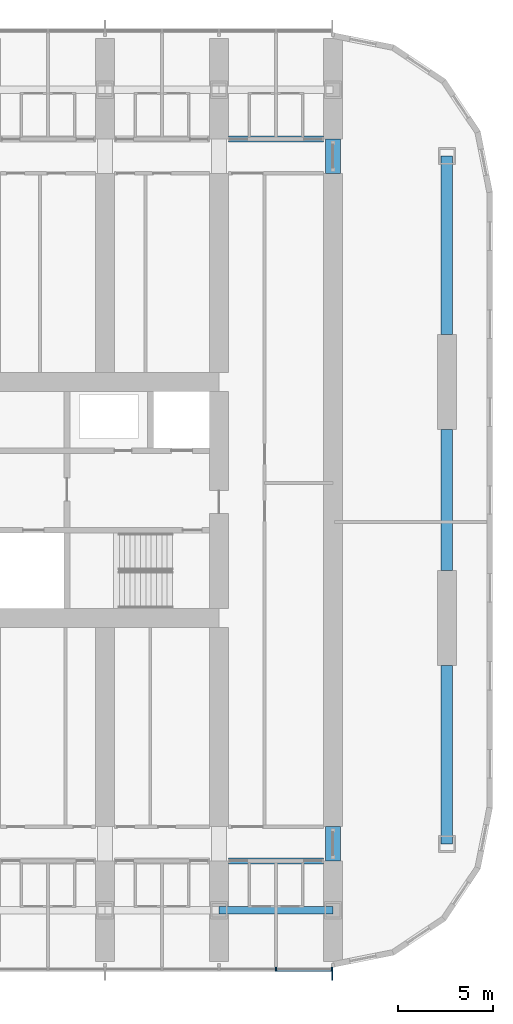
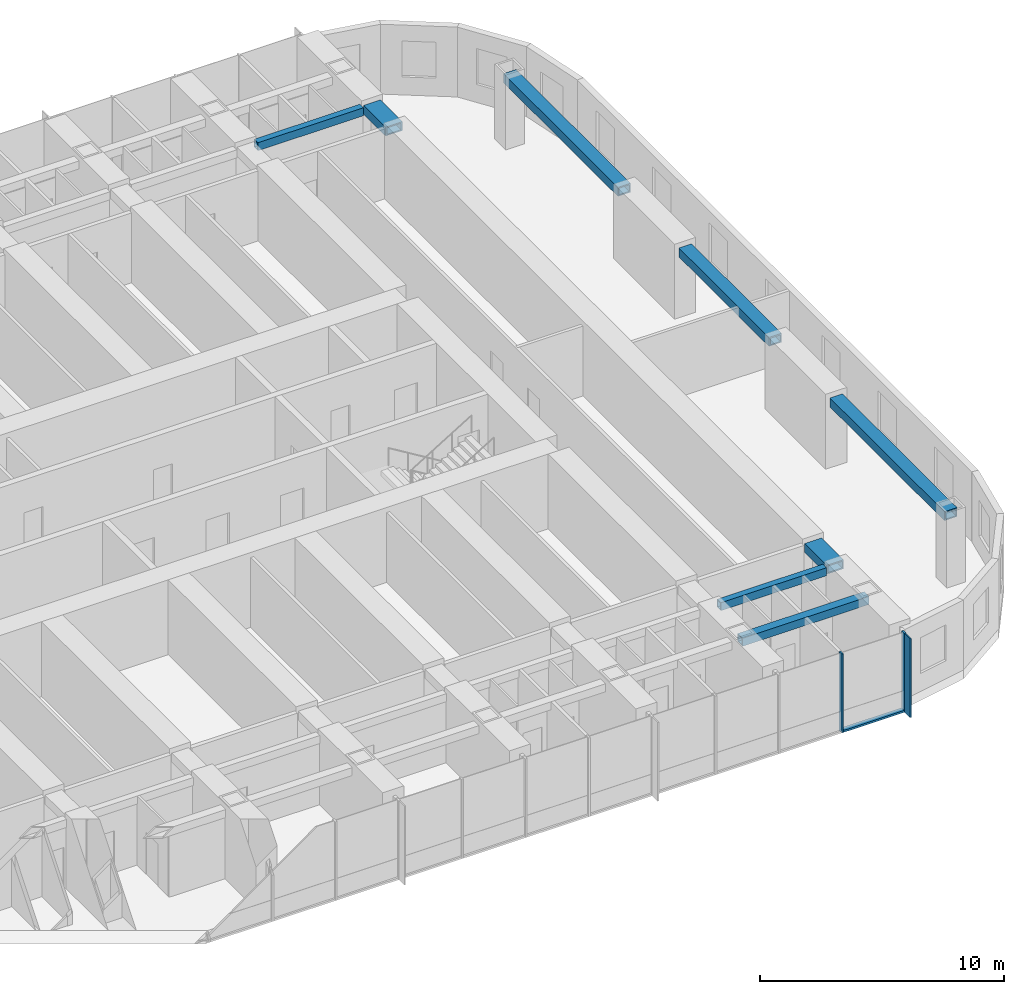
# One storey, part 8 of 28: 8 beams, 4 members, 1 element without a shape of its own.
"""IFC4 building model written with IfcOpenShell, lengths in metres."""

from ifc_helpers import new_model, si_unit, direction, frame, origin, origin_2d, place, context, subcontext, project, spatial, rectangle, hollow_rectangle, extrude, material, material_profile, profile_set, type_object, element, aggregate, save


model = new_model("IFC4")

# Units and contexts
model_context = context("Model", 3, precision=1e-05, world=origin(), true_north=direction((0.0, 1.0)))
body_context = subcontext(model_context, "Body", "Model", "MODEL_VIEW")
ifc_project = project(units=[si_unit("LENGTHUNIT", "METRE"), si_unit("AREAUNIT", "SQUARE_METRE"), si_unit("VOLUMEUNIT", "CUBIC_METRE"), si_unit("PLANEANGLEUNIT", "RADIAN"), si_unit("MASSUNIT", "GRAM", prefix="KILO")], contexts=[model_context])

# Site, building, storey
site_placement = place(None, origin())
site = spatial("IfcSite", under=ifc_project, at=site_placement, CompositionType="ELEMENT")
building_placement = place(site_placement, origin())
building = spatial("IfcBuilding", under=site, at=building_placement, Name="Orbita Commons", CompositionType="ELEMENT")
storey_placement = place(building_placement, frame((0.0, 0.0, 38.949951171875)))
storey = spatial("IfcBuildingStorey", under=building, at=storey_placement, Name="L09", CompositionType="ELEMENT", Elevation=38.949951171875)

# Curtain wall, members
ifc_material_1 = material(Name="Anodised aluminium frame, pale silver", Category="aluminium")
curtain_wall_type = type_object("IfcCurtainWallType", Name="Unitised curtain wall CW-T, vision and spandrel", PredefinedType="NOTDEFINED", material=ifc_material_1)
curtain_wall_placement = place(storey_placement, origin())
curtain_wall = element("IfcCurtainWall", 1, at=curtain_wall_placement, inside=storey, type_object=curtain_wall_type, Name="Curtain wall south L09", PredefinedType="NOTDEFINED")
ifc_material_2 = material(Name="Anodised aluminium, pale silver", Category="aluminium")
ifc_material_profile_1 = material_profile(ifc_material_2, rectangle(XDim=0.080078125, YDim=0.219970703125, at=origin_2d()), Name="AL 80x220")
ifc_profile_set_1 = profile_set([ifc_material_profile_1], Name="Anodised aluminium, pale silver")
member_type_1 = type_object("IfcMemberType", Name="Curtain wall mullion 80x220", PredefinedType="MULLION", material=ifc_profile_set_1)
member_1_placement = place(storey_placement, frame((69.0, 7.2900390625, -0.449951171875), z_axis=(0.0, 0.0, 1.0), x_axis=(1.0, 0.0, 0.0)))
member_1 = element("IfcMember", 2, at=member_1_placement, type_object=member_type_1, Name="Mullion 20 CW-L09-S", PredefinedType="MULLION", context=body_context, shape_type="SweptSolid", body=[
    extrude(rectangle(XDim=0.080078125, YDim=0.219970703125, at=origin_2d()), origin(), (0.0, 0.0, 1.0), 3.949951171875),
])
member_2_placement = place(storey_placement, frame((71.9599609375, 7.2900390625, -0.449951171875), z_axis=(0.0, 0.0, 1.0), x_axis=(1.0, 0.0, 0.0)))
member_2 = element("IfcMember", 3, at=member_2_placement, type_object=member_type_1, Name="Mullion 21 CW-L09-S", PredefinedType="MULLION", context=body_context, shape_type="SweptSolid", body=[
    extrude(rectangle(XDim=0.080078125, YDim=0.219970703125, at=origin_2d()), origin(), (0.0, 0.0, 1.0), 3.949951171875),
])
ifc_material_3 = material(Name="Anodised aluminium, pale silver", Category="aluminium")
ifc_material_profile_2 = material_profile(ifc_material_3, rectangle(XDim=0.219970703125, YDim=0.10009765625, at=origin_2d()), Name="AL 220x100")
ifc_profile_set_2 = profile_set([ifc_material_profile_2], Name="Anodised aluminium, pale silver")
member_type_2 = type_object("IfcMemberType", Name="Curtain wall stack transom 220x100", PredefinedType="USERDEFINED", material=ifc_profile_set_2)
member_3_placement = place(storey_placement, frame((69.0400390625, 7.2900390625, -0.39990234375), z_axis=(1.0, 0.0, 0.0), x_axis=(0.0, 1.0, 0.0)))
member_3 = element("IfcMember", 4, at=member_3_placement, type_object=member_type_2, Name="Transom 20.1 CW-L09-S", ObjectType="TRANSOM", PredefinedType="USERDEFINED", context=body_context, shape_type="SweptSolid", body=[
    extrude(rectangle(XDim=0.219970703125, YDim=0.10009765625, at=origin_2d()), origin(), (0.0, 0.0, 1.0), 2.8798828125),
])

# Beams
ifc_material_4 = material(Name="Steel ASTM A572 Gr 50 welded plate", Category="steel")
ifc_material_profile_3 = material_profile(ifc_material_4, hollow_rectangle(XDim=0.300048828125, YDim=0.39990234375, WallThickness=0.0400390625, at=origin_2d()), Name="BOX 400x300x40")
ifc_profile_set_3 = profile_set([ifc_material_profile_3], Name="Steel ASTM A572 Gr 50 welded plate")
beam_type_1 = type_object("IfcBeamType", Name="Steel corridor link BOX 400x300x40", PredefinedType="BEAM", material=ifc_profile_set_3)
for number, where, z_axis, x_axis, name in (
    (5, (66.5, 13.0, 3.300048828125), (1.0, 0.0, 0.0), (0.0, 1.0, 0.0), "Corridor beam SA 12-13 L09"),
    (6, (66.5, 51.0, 3.300048828125), (1.0, 0.0, 0.0), (0.0, 1.0, 0.0), "Corridor beam NB 12-13 L09"),
):
    element("IfcBeam", number, at=place(storey_placement, frame(where, z_axis=z_axis, x_axis=x_axis)), inside=storey, type_object=beam_type_1, Name=name, PredefinedType="BEAM", context=body_context, shape_type="SweptSolid", body=[
        extrude(hollow_rectangle(XDim=0.300048828125, YDim=0.39990234375, WallThickness=0.0400390625, at=origin_2d()), origin(), (0.0, 0.0, 1.0), 5.0),
    ])
ifc_material_5 = material(Name="Steel ASTM A572 Gr 50 welded plate", Category="steel")
ifc_material_profile_4 = material_profile(ifc_material_5, hollow_rectangle(XDim=0.800048828125, YDim=0.449951171875, WallThickness=0.06005859375, at=origin_2d()), Name="BOX 450x800x60")
ifc_profile_set_4 = profile_set([ifc_material_profile_4], Name="Steel ASTM A572 Gr 50 welded plate")
beam_type_2 = type_object("IfcBeamType", Name="Steel coupling link BOX 450x800x60", PredefinedType="LINTEL", material=ifc_profile_set_4)
for number, where, z_axis, x_axis, name in (
    (7, (72.0, 13.0, 3.275146484375), (0.0, 1.0, 0.0), (-1.0, 0.0, 0.0), "Coupling beam 13 south L09"),
    (8, (72.0, 49.199951171875, 3.275146484375), (0.0, 1.0, 0.0), (-1.0, 0.0, 0.0), "Coupling beam 13 north L09"),
):
    element("IfcBeam", number, at=place(storey_placement, frame(where, z_axis=z_axis, x_axis=x_axis)), inside=storey, type_object=beam_type_2, Name=name, PredefinedType="LINTEL", context=body_context, shape_type="SweptSolid", body=[
        extrude(hollow_rectangle(XDim=0.800048828125, YDim=0.449951171875, WallThickness=0.06005859375, at=origin_2d()), origin(), (0.0, 0.0, 1.0), 1.800048828125),
    ])
ifc_material_6 = material(Name="Steel ASTM A572 Gr 50 welded plate", Category="steel")
ifc_material_profile_5 = material_profile(ifc_material_6, hollow_rectangle(XDim=0.60009765625, YDim=0.449951171875, WallThickness=0.06005859375, at=origin_2d()), Name="BOX 450x600x60")
ifc_profile_set_5 = profile_set([ifc_material_profile_5], Name="Steel ASTM A572 Gr 50 welded plate")
beam_type_3 = type_object("IfcBeamType", Name="Steel end frame link BOX 450x600x60", PredefinedType="BEAM", material=ifc_profile_set_5)
beam_1_placement = place(storey_placement, frame((78.0, 13.89990234375, 3.275146484375), z_axis=(0.0, 1.0, 0.0), x_axis=(-1.0, 0.0, 0.0)))
element("IfcBeam", 9, at=beam_1_placement, inside=storey, type_object=beam_type_3, Name="End frame beam 14 B-C L09", PredefinedType="BEAM", context=body_context, shape_type="SweptSolid", body=[
    extrude(hollow_rectangle(XDim=0.60009765625, YDim=0.449951171875, WallThickness=0.06005859375, at=origin_2d()), origin(), (0.0, 0.0, 1.0), 9.400146484375),
])
beam_2_placement = place(storey_placement, frame((78.0, 28.300048828125, 3.275146484375), z_axis=(0.0, 1.0, 0.0), x_axis=(-1.0, 0.0, 0.0)))
element("IfcBeam", 10, at=beam_2_placement, inside=storey, type_object=beam_type_3, Name="End frame beam 14 C-D L09", PredefinedType="BEAM", context=body_context, shape_type="SweptSolid", body=[
    extrude(hollow_rectangle(XDim=0.60009765625, YDim=0.449951171875, WallThickness=0.06005859375, at=origin_2d()), origin(), (0.0, 0.0, 1.0), 7.39990234375),
])
beam_3_placement = place(storey_placement, frame((78.0, 40.699951171875, 3.275146484375), z_axis=(0.0, 1.0, 0.0), x_axis=(-1.0, 0.0, 0.0)))
element("IfcBeam", 11, at=beam_3_placement, inside=storey, type_object=beam_type_3, Name="End frame beam 14 D-E L09", PredefinedType="BEAM", context=body_context, shape_type="SweptSolid", body=[
    extrude(hollow_rectangle(XDim=0.60009765625, YDim=0.449951171875, WallThickness=0.06005859375, at=origin_2d()), origin(), (0.0, 0.0, 1.0), 9.400146484375),
])
ifc_material_7 = material(Name="Steel ASTM A572 Gr 50 welded plate", Category="steel")
ifc_material_profile_6 = material_profile(ifc_material_7, hollow_rectangle(XDim=0.39990234375, YDim=0.39990234375, WallThickness=0.0400390625, at=origin_2d()), Name="BOX 400x400x40")
ifc_profile_set_6 = profile_set([ifc_material_profile_6], Name="Steel ASTM A572 Gr 50 welded plate")
beam_type_4 = type_object("IfcBeamType", Name="Steel spandrel BOX 400x400x40", PredefinedType="SPANDREL", material=ifc_profile_set_6)
beam_4_placement = place(storey_placement, frame((66.0, 10.39990234375, 3.300048828125), z_axis=(1.0, 0.0, 0.0), x_axis=(0.0, 1.0, 0.0)))
element("IfcBeam", 12, at=beam_4_placement, inside=storey, type_object=beam_type_4, Name="Spandrel beam B 12-13 L09", PredefinedType="SPANDREL", context=body_context, shape_type="SweptSolid", body=[
    extrude(hollow_rectangle(XDim=0.39990234375, YDim=0.39990234375, WallThickness=0.0400390625, at=origin_2d()), origin(), (0.0, 0.0, 1.0), 6.0),
])

# Member
ifc_material_8 = material(Name="Anodised aluminium, pale silver", Category="aluminium")
ifc_material_profile_7 = material_profile(ifc_material_8, rectangle(XDim=0.06005859375, YDim=0.449951171875, at=origin_2d()), Name="FIN 60x450")
ifc_profile_set_7 = profile_set([ifc_material_profile_7], Name="Anodised aluminium, pale silver")
member_type_3 = type_object("IfcMemberType", Name="Vertical fin 60x450 pale aluminium", PredefinedType="USERDEFINED", material=ifc_profile_set_7)
member_4_placement = place(storey_placement, frame((71.9599609375, 6.955078125, -0.449951171875), z_axis=(0.0, 0.0, 1.0), x_axis=(1.0, 0.0, 0.0)))
member_4 = element("IfcMember", 13, at=member_4_placement, type_object=member_type_3, Name="Fin 21 CW-L09-S", ObjectType="FIN", PredefinedType="USERDEFINED", context=body_context, shape_type="SweptSolid", body=[
    extrude(rectangle(XDim=0.06005859375, YDim=0.449951171875, at=origin_2d()), origin(), (0.0, 0.0, 1.0), 3.949951171875),
])

aggregate(curtain_wall, [member_1, member_2, member_4, member_3])

save(model, "model.ifc")
